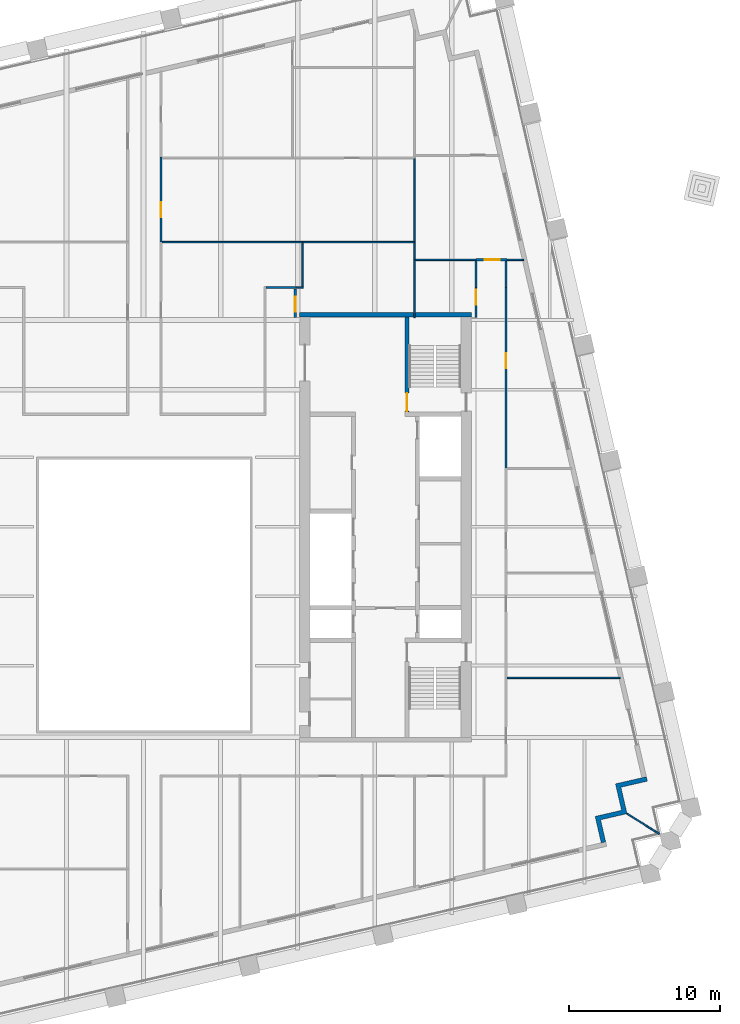
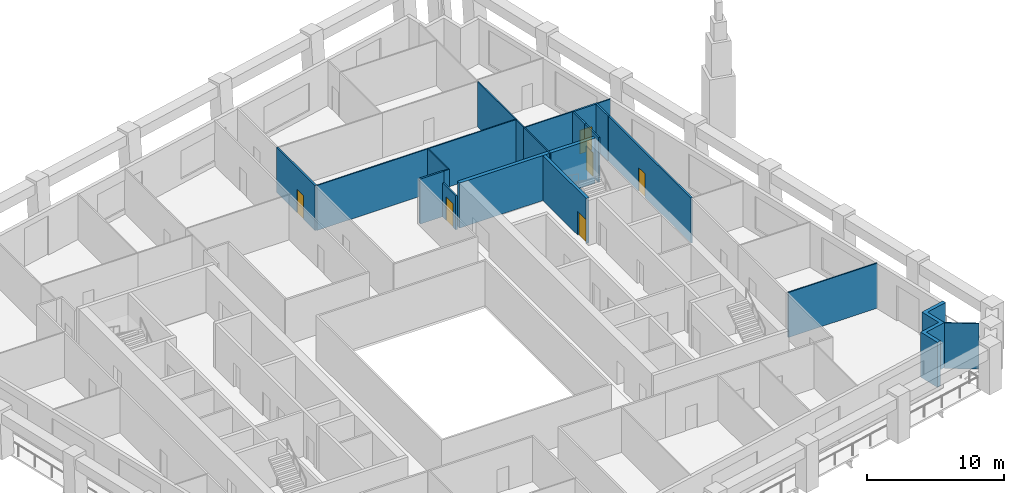
# One storey, part 8 of 10: 22 walls, 6 doors, 6 openings.
"""IFC4 building model written with IfcOpenShell, lengths in metres."""

from ifc_helpers import new_model, si_unit, direction, frame, frame_2d, origin, place, context, subcontext, project, spatial, polyline, rectangle, outline, extrude, material, layer, layer_set, type_object, element, fill, save


model = new_model("IFC4")

# Units and contexts
model_context = context("Model", 3, precision=1e-05, world=origin(), true_north=direction((0.0, 1.0)))
body_context = subcontext(model_context, "Body", "Model", "MODEL_VIEW")
ifc_project = project(units=[si_unit("LENGTHUNIT", "METRE"), si_unit("AREAUNIT", "SQUARE_METRE"), si_unit("VOLUMEUNIT", "CUBIC_METRE"), si_unit("PLANEANGLEUNIT", "RADIAN"), si_unit("MASSUNIT", "GRAM", prefix="KILO")], contexts=[model_context])

# Site, building, storey
site_placement = place(None, origin())
site = spatial("IfcSite", under=ifc_project, at=site_placement, CompositionType="ELEMENT")
building_placement = place(site_placement, origin())
building = spatial("IfcBuilding", under=site, at=building_placement, Name="Ogive Exchange Tower", CompositionType="ELEMENT")
storey_placement = place(building_placement, frame((0.0, 0.0, 171.60009765625)))
storey = spatial("IfcBuildingStorey", under=building, at=storey_placement, Name="L37", CompositionType="ELEMENT", Elevation=171.60009765625)

# Wall, opening, door
ifc_material_1 = material(Name="Fire partition EI 60 150")
ifc_layer_1 = layer(ifc_material_1, 0.14990234375)
ifc_layer_set_1 = layer_set([ifc_layer_1], Name="Fire partition EI 60 150")
wall_type_1 = type_object("IfcWallType", Name="Fire partition EI 60 150", PredefinedType="PARTITIONING", material=ifc_layer_set_1)
wall_1_placement = place(storey_placement, frame((1.10009765625, 36.050048828125, 0.0), z_axis=(0.0, 0.0, 1.0), x_axis=(0.0, -1.0, 0.0)))
wall_1 = element("IfcWall", 1, at=wall_1_placement, inside=storey, type_object=wall_type_1, Name="L37-PWL-040", PredefinedType="PARTITIONING", context=body_context, shape_type="SweptSolid", body=[
    extrude(rectangle(XDim=5.630126953125, YDim=0.14990234375, at=frame_2d((2.81494140625, 0.0))), origin(), (0.0, 0.0, 1.0), 4.0),
])
opening_1_placement = place(wall_1_placement, frame((2.97998046875, 0.0, 0.0)))
opening_1 = element("IfcOpeningElement", 2, at=opening_1_placement, cuts=wall_1, Name="Opening L37-I27", PredefinedType="OPENING", context=body_context, shape_type="SweptSolid", body=[
    extrude(rectangle(XDim=1.0, YDim=2.10009765625, at=frame_2d((0.5, 1.050048828125))), frame((0.0, 0.0849609375, 0.0), z_axis=(0.0, -1.0, 0.0), x_axis=(1.0, 0.0, 0.0)), (0.0, 0.0, 1.0), 0.169921875),
])
ifc_material_2 = material(Name="Fire door FD 30S 1000 x 2100")
door_type_1 = type_object("IfcDoorType", Name="Fire door FD 30S 1000 x 2100", OperationType="NOTDEFINED", PredefinedType="DOOR", material=ifc_material_2)
door_1_placement = place(opening_1_placement, origin())
door_1 = element("IfcDoor", 3, at=door_1_placement, inside=storey, type_object=door_type_1, Name="L37-IDR-027", ObjectType="DT3", OperationType="SINGLE_SWING_LEFT", OverallHeight=2.10009765625, OverallWidth=1.0, PredefinedType="DOOR", context=body_context, shape_type="SweptSolid", body=[
    extrude(rectangle(XDim=1.0, YDim=2.10009765625, at=frame_2d((0.5, 1.050048828125))), frame((0.0, 0.02490234375, 0.0), z_axis=(0.0, -1.0, 0.0), x_axis=(1.0, 0.0, 0.0)), (0.0, 0.0, 1.0), 0.050048828125),
])
fill(opening_1, door_1)

# Wall
wall_2_placement = place(storey_placement, frame((8.074951171875, 27.39990234375, 0.0), z_axis=(0.0, 0.0, 1.0), x_axis=(1.0, 0.0, 0.0)))
element("IfcWall", 4, at=wall_2_placement, inside=storey, type_object=wall_type_1, Name="L37-PWL-046", PredefinedType="PARTITIONING", context=body_context, shape_type="SweptSolid", body=[
    extrude(rectangle(XDim=2.0, YDim=0.14990234375, at=frame_2d((1.0, 0.0))), origin(), (0.0, 0.0, 1.0), 4.0),
])

# Wall, opening, door
wall_3_placement = place(storey_placement, frame((10.010009765625, 27.31494140625, 0.0), z_axis=(0.0, 0.0, 1.0), x_axis=(0.0, -1.0, 0.0)))
wall_3 = element("IfcWall", 5, at=wall_3_placement, inside=storey, type_object=wall_type_1, Name="L37-PWL-052", PredefinedType="PARTITIONING", context=body_context, shape_type="SweptSolid", body=[
    extrude(rectangle(XDim=1.9150390625, YDim=0.14990234375, at=frame_2d((0.95751953125, 0.0))), origin(), (0.0, 0.0, 1.0), 3.02001953125),
])
opening_2_placement = place(wall_3_placement, frame((0.514892578125, 0.0, 0.0)))
opening_2 = element("IfcOpeningElement", 6, at=opening_2_placement, cuts=wall_3, Name="Opening L37-I26", PredefinedType="OPENING", context=body_context, shape_type="SweptSolid", body=[
    extrude(rectangle(XDim=1.0, YDim=2.10009765625, at=frame_2d((0.5, 1.050048828125))), frame((0.0, 0.0849609375, 0.0), z_axis=(0.0, -1.0, 0.0), x_axis=(1.0, 0.0, 0.0)), (0.0, 0.0, 1.0), 0.169921875),
])
door_2_placement = place(opening_2_placement, origin())
door_2 = element("IfcDoor", 7, at=door_2_placement, inside=storey, type_object=door_type_1, Name="L37-IDR-026", ObjectType="DT3", OperationType="SINGLE_SWING_RIGHT", OverallHeight=2.10009765625, OverallWidth=1.0, PredefinedType="DOOR", context=body_context, shape_type="SweptSolid", body=[
    extrude(rectangle(XDim=1.0, YDim=2.10009765625, at=frame_2d((0.5, 1.050048828125))), frame((0.0, 0.02490234375, 0.0), z_axis=(0.0, -1.0, 0.0), x_axis=(1.0, 0.0, 0.0)), (0.0, 0.0, 1.0), 0.050048828125),
])
fill(opening_2, door_2)

wall_4_placement = place(storey_placement, frame((22.0, 25.39990234375, 0.0), z_axis=(0.0, 0.0, 1.0), x_axis=(0.0, 1.0, 0.0)))
wall_4 = element("IfcWall", 8, at=wall_4_placement, inside=storey, type_object=wall_type_1, Name="L37-PWL-067", PredefinedType="PARTITIONING", context=body_context, shape_type="SweptSolid", body=[
    extrude(rectangle(XDim=2.0, YDim=0.14990234375, at=frame_2d((1.0, 0.0))), origin(), (0.0, 0.0, 1.0), 4.0),
])
opening_3_placement = place(wall_4_placement, frame((0.85009765625, 0.0, 0.0)))
opening_3 = element("IfcOpeningElement", 9, at=opening_3_placement, cuts=wall_4, Name="Opening L37-I17", PredefinedType="OPENING", context=body_context, shape_type="SweptSolid", body=[
    extrude(rectangle(XDim=1.0, YDim=2.10009765625, at=frame_2d((0.5, 1.050048828125))), frame((0.0, 0.0849609375, 0.0), z_axis=(0.0, -1.0, 0.0), x_axis=(1.0, 0.0, 0.0)), (0.0, 0.0, 1.0), 0.169921875),
])
door_3_placement = place(opening_3_placement, origin())
door_3 = element("IfcDoor", 10, at=door_3_placement, inside=storey, type_object=door_type_1, Name="L37-IDR-017", ObjectType="DT3", OperationType="SINGLE_SWING_LEFT", OverallHeight=2.10009765625, OverallWidth=1.0, PredefinedType="DOOR", context=body_context, shape_type="SweptSolid", body=[
    extrude(rectangle(XDim=1.0, YDim=2.10009765625, at=frame_2d((0.5, 1.050048828125))), frame((0.0, 0.02490234375, 0.0), z_axis=(0.0, -1.0, 0.0), x_axis=(1.0, 0.0, 0.0)), (0.0, 0.0, 1.0), 0.050048828125),
])
fill(opening_3, door_3)

# Wall
wall_5_placement = place(storey_placement, frame((22.010009765625, 27.39990234375, 0.0), z_axis=(0.0, 0.0, 1.0), x_axis=(0.0, 1.0, 0.0)))
element("IfcWall", 11, at=wall_5_placement, inside=storey, type_object=wall_type_1, Name="L37-PWL-068", PredefinedType="PARTITIONING", context=body_context, shape_type="SweptSolid", body=[
    extrude(rectangle(XDim=1.7900390625, YDim=0.14990234375, at=frame_2d((0.89501953125, 0.0))), origin(), (0.0, 0.0, 1.0), 4.0),
])

# Wall, opening, door
wall_6_placement = place(storey_placement, frame((22.010009765625, 29.239990234375, 0.0), z_axis=(0.0, 0.0, 1.0), x_axis=(1.0, 0.0, 0.0)))
wall_6 = element("IfcWall", 12, at=wall_6_placement, inside=storey, type_object=wall_type_1, Name="L37-PWL-069", PredefinedType="PARTITIONING", context=body_context, shape_type="SweptSolid", body=[
    extrude(rectangle(XDim=2.054931640625, YDim=0.14990234375, at=frame_2d((1.02734375, 0.0))), origin(), (0.0, 0.0, 1.0), 4.0),
])
opening_4_placement = place(wall_6_placement, frame((0.580078125, 0.0, 0.0)))
opening_4 = element("IfcOpeningElement", 13, at=opening_4_placement, cuts=wall_6, Name="Opening L37-I23", PredefinedType="OPENING", context=body_context, shape_type="SweptSolid", body=[
    extrude(rectangle(XDim=1.0, YDim=2.10009765625, at=frame_2d((0.5, 1.050048828125))), frame((0.0, 0.0849609375, 0.0), z_axis=(0.0, -1.0, 0.0), x_axis=(1.0, 0.0, 0.0)), (0.0, 0.0, 1.0), 0.169921875),
])
door_4_placement = place(opening_4_placement, origin())
door_4 = element("IfcDoor", 14, at=door_4_placement, inside=storey, type_object=door_type_1, Name="L37-IDR-023", ObjectType="DT3", OperationType="SINGLE_SWING_LEFT", OverallHeight=2.10009765625, OverallWidth=1.0, PredefinedType="DOOR", context=body_context, shape_type="SweptSolid", body=[
    extrude(rectangle(XDim=1.0, YDim=2.10009765625, at=frame_2d((0.5, 1.050048828125))), frame((0.0, 0.02490234375, 0.0), z_axis=(0.0, -1.0, 0.0), x_axis=(1.0, 0.0, 0.0)), (0.0, 0.0, 1.0), 0.050048828125),
])
fill(opening_4, door_4)

# Wall
wall_7_placement = place(storey_placement, frame((23.989990234375, 29.1650390625, 0.0), z_axis=(0.0, 0.0, 1.0), x_axis=(0.0, -1.0, 0.0)))
element("IfcWall", 15, at=wall_7_placement, inside=storey, type_object=wall_type_1, Name="L37-PWL-072", PredefinedType="PARTITIONING", context=body_context, shape_type="SweptSolid", body=[
    extrude(rectangle(XDim=1.76513671875, YDim=0.14990234375, at=frame_2d((0.882568359375, 0.0))), origin(), (0.0, 0.0, 1.0), 4.0),
])

# Wall, opening, door
wall_8_placement = place(storey_placement, frame((24.0, 27.39990234375, 0.0), z_axis=(0.0, 0.0, 1.0), x_axis=(0.0, -1.0, 0.0)))
wall_8 = element("IfcWall", 16, at=wall_8_placement, inside=storey, type_object=wall_type_1, Name="L37-PWL-081", PredefinedType="PARTITIONING", context=body_context, shape_type="SweptSolid", body=[
    extrude(rectangle(XDim=12.02001953125, YDim=0.14990234375, at=frame_2d((6.010009765625, 0.0))), origin(), (0.0, 0.0, 1.0), 4.0),
])
opening_5_placement = place(wall_8_placement, frame((4.3701171875, 0.0, 0.0)))
opening_5 = element("IfcOpeningElement", 17, at=opening_5_placement, cuts=wall_8, Name="Opening L37-I22", PredefinedType="OPENING", context=body_context, shape_type="SweptSolid", body=[
    extrude(rectangle(XDim=1.0, YDim=2.10009765625, at=frame_2d((0.5, 1.050048828125))), frame((0.0, 0.0849609375, 0.0), z_axis=(0.0, -1.0, 0.0), x_axis=(1.0, 0.0, 0.0)), (0.0, 0.0, 1.0), 0.169921875),
])
door_5_placement = place(opening_5_placement, origin())
door_5 = element("IfcDoor", 18, at=door_5_placement, inside=storey, type_object=door_type_1, Name="L37-IDR-022", ObjectType="DT3", OperationType="SINGLE_SWING_LEFT", OverallHeight=2.10009765625, OverallWidth=1.0, PredefinedType="DOOR", context=body_context, shape_type="SweptSolid", body=[
    extrude(rectangle(XDim=1.0, YDim=2.10009765625, at=frame_2d((0.5, 1.050048828125))), frame((0.0, 0.02490234375, 0.0), z_axis=(0.0, -1.0, 0.0), x_axis=(1.0, 0.0, 0.0)), (0.0, 0.0, 1.0), 0.050048828125),
])
fill(opening_5, door_5)

# Walls
ifc_material_3 = material(Name="Precast concrete C40/50", Category="concrete")
ifc_layer_2 = layer(ifc_material_3, 0.300048828125)
ifc_layer_set_2 = layer_set([ifc_layer_2], Name="Limestone-faced wall 300")
wall_type_2 = type_object("IfcWallType", Name="Limestone-faced wall 300", PredefinedType="STANDARD", material=ifc_layer_set_2)
wall_9_placement = place(storey_placement, origin())
element("IfcWall", 19, at=wall_9_placement, inside=storey, type_object=wall_type_2, Name="External corner wall C1", PredefinedType="STANDARD", context=body_context, shape_type="SweptSolid", body=[
    extrude(outline(polyline([(31.662109375, -7.28466796875), (31.257080078125, -5.53076171875), (33.30322265625, -5.058349609375), (33.370849609375, -5.3505859375), (31.616943359375, -5.755615234375), (32.02197265625, -7.509521484375), (30.26806640625, -7.914306640625), (30.60546875, -9.3759765625), (30.31298828125, -9.443359375), (29.908203125, -7.689697265625), (31.662109375, -7.28466796875)])), origin(), (0.0, 0.0, 1.0), 4.0),
])
ifc_material_4 = material(Name="Laminated safety glass in steel frame", Category="steel")
ifc_layer_3 = layer(ifc_material_4, 0.10009765625)
ifc_layer_set_3 = layer_set([ifc_layer_3], Name="Loggia end screen 100")
wall_type_3 = type_object("IfcWallType", Name="Loggia end screen 100", PredefinedType="STANDARD", material=ifc_layer_set_3)
wall_10_placement = place(storey_placement, frame((32.02197265625, -7.509521484375, -0.050048828125), z_axis=(0.0, 0.0, 1.0), x_axis=(0.848047176257, -0.529920736377, 0.0)))
element("IfcWall", 20, at=wall_10_placement, inside=storey, type_object=wall_type_3, Name="Loggia end screen C1", PredefinedType="STANDARD", context=body_context, shape_type="SweptSolid", body=[
    extrude(rectangle(XDim=2.525634765625, YDim=0.10009765625, at=frame_2d((1.2626953125, 0.0))), origin(), (0.0, 0.0, 1.0), 4.050048828125),
])
ifc_material_5 = material(Name="Partition 100 gypsum")
ifc_layer_4 = layer(ifc_material_5, 0.10009765625)
ifc_layer_set_4 = layer_set([ifc_layer_4], Name="Partition 100 gypsum")
wall_type_4 = type_object("IfcWallType", Name="Partition 100 gypsum", PredefinedType="PARTITIONING", material=ifc_layer_set_4)
wall_11_placement = place(storey_placement, frame((1.175048828125, 30.419921875, 0.0), z_axis=(0.0, 0.0, 1.0), x_axis=(1.0, 0.0, 0.0)))
element("IfcWall", 21, at=wall_11_placement, inside=storey, type_object=wall_type_4, Name="L37-PWL-039", PredefinedType="PARTITIONING", context=body_context, shape_type="SweptSolid", body=[
    extrude(rectangle(XDim=9.375, YDim=0.10009765625, at=frame_2d((4.6875, 0.0))), origin(), (0.0, 0.0, 1.0), 4.0),
])
wall_12_placement = place(storey_placement, frame((10.550048828125, 27.389892578125, 0.0), z_axis=(0.0, 0.0, 1.0), x_axis=(-1.0, 0.0, 0.0)))
element("IfcWall", 22, at=wall_12_placement, inside=storey, type_object=wall_type_4, Name="L37-PWL-053", PredefinedType="PARTITIONING", context=body_context, shape_type="SweptSolid", body=[
    extrude(rectangle(XDim=0.47509765625, YDim=0.10009765625, at=frame_2d((0.237548828125, 0.0))), origin(), (0.0, 0.0, 1.0), 4.0),
])
wall_13_placement = place(storey_placement, frame((10.5, 30.3701171875, 0.0), z_axis=(0.0, 0.0, 1.0), x_axis=(0.0, -1.0, 0.0)))
element("IfcWall", 23, at=wall_13_placement, inside=storey, type_object=wall_type_4, Name="L37-PWL-054", PredefinedType="PARTITIONING", context=body_context, shape_type="SweptSolid", body=[
    extrude(rectangle(XDim=2.93017578125, YDim=0.10009765625, at=frame_2d((1.465087890625, 0.0))), origin(), (0.0, 0.0, 1.0), 4.0),
])
wall_14_placement = place(storey_placement, frame((10.550048828125, 30.419921875, 0.0), z_axis=(0.0, 0.0, 1.0), x_axis=(1.0, 0.0, 0.0)))
element("IfcWall", 24, at=wall_14_placement, inside=storey, type_object=wall_type_4, Name="L37-PWL-055", PredefinedType="PARTITIONING", context=body_context, shape_type="SweptSolid", body=[
    extrude(rectangle(XDim=7.419921875, YDim=0.10009765625, at=frame_2d((3.7099609375, 0.0))), origin(), (0.0, 0.0, 1.0), 4.0),
])
wall_15_placement = place(storey_placement, frame((17.919921875, 25.39990234375, 0.0), z_axis=(0.0, 0.0, 1.0), x_axis=(0.0, 1.0, 0.0)))
element("IfcWall", 25, at=wall_15_placement, inside=storey, type_object=wall_type_4, Name="L37-PWL-060", PredefinedType="PARTITIONING", context=body_context, shape_type="SweptSolid", body=[
    extrude(rectangle(XDim=3.89013671875, YDim=0.10009765625, at=frame_2d((1.945068359375, 0.0))), origin(), (0.0, 0.0, 1.0), 4.0),
])
wall_16_placement = place(storey_placement, frame((17.919921875, 29.2900390625, 0.0), z_axis=(0.0, 0.0, 1.0), x_axis=(0.0, 1.0, 0.0)))
element("IfcWall", 26, at=wall_16_placement, inside=storey, type_object=wall_type_4, Name="L37-PWL-061", PredefinedType="PARTITIONING", context=body_context, shape_type="SweptSolid", body=[
    extrude(rectangle(XDim=1.080078125, YDim=0.10009765625, at=frame_2d((0.5400390625, 0.0))), origin(), (0.0, 0.0, 1.0), 4.0),
])
wall_17_placement = place(storey_placement, frame((17.969970703125, 29.239990234375, 0.0), z_axis=(0.0, 0.0, 1.0), x_axis=(1.0, 0.0, 0.0)))
element("IfcWall", 27, at=wall_17_placement, inside=storey, type_object=wall_type_4, Name="L37-PWL-062", PredefinedType="PARTITIONING", context=body_context, shape_type="SweptSolid", body=[
    extrude(rectangle(XDim=4.0400390625, YDim=0.10009765625, at=frame_2d((2.02001953125, 0.0))), origin(), (0.0, 0.0, 1.0), 4.0),
])
wall_18_placement = place(storey_placement, frame((17.919921875, 30.469970703125, 0.0), z_axis=(0.0, 0.0, 1.0), x_axis=(0.0, 1.0, 0.0)))
element("IfcWall", 28, at=wall_18_placement, inside=storey, type_object=wall_type_4, Name="L37-PWL-063", PredefinedType="PARTITIONING", context=body_context, shape_type="SweptSolid", body=[
    extrude(rectangle(XDim=5.47998046875, YDim=0.10009765625, at=frame_2d((2.739990234375, 0.0))), origin(), (0.0, 0.0, 1.0), 4.0),
])
wall_19_placement = place(storey_placement, frame((24.06494140625, 29.239990234375, 0.0), z_axis=(0.0, 0.0, 1.0), x_axis=(1.0, 0.0, 0.0)))
element("IfcWall", 29, at=wall_19_placement, inside=storey, type_object=wall_type_4, Name="L37-PWL-073", PredefinedType="PARTITIONING", context=body_context, shape_type="SweptSolid", body=[
    extrude(rectangle(XDim=1.094970703125, YDim=0.10009765625, at=frame_2d((0.54736328125, 0.0))), origin(), (0.0, 0.0, 1.0), 4.0),
])
wall_20_placement = place(storey_placement, frame((24.074951171875, 1.510009765625, 0.0), z_axis=(0.0, 0.0, 1.0), x_axis=(1.0, 0.0, 0.0)))
element("IfcWall", 30, at=wall_20_placement, inside=storey, type_object=wall_type_4, Name="L37-PWL-076", PredefinedType="PARTITIONING", context=body_context, shape_type="SweptSolid", body=[
    extrude(rectangle(XDim=7.487060546875, YDim=0.10009765625, at=frame_2d((3.74365234375, 0.0))), origin(), (0.0, 0.0, 1.0), 4.0),
])

# Wall, opening, door
ifc_material_6 = material(Name="Concrete C70/85", Category="concrete")
ifc_layer_5 = layer(ifc_material_6, 0.25)
ifc_layer_set_5 = layer_set([ifc_layer_5], Name="RC core wall 250 C70/85")
wall_type_5 = type_object("IfcWallType", Name="RC core wall 250 C70/85", PredefinedType="SHEAR", material=ifc_layer_set_5)
wall_21_placement = place(storey_placement, frame((17.425048828125, 19.14990234375, 0.0), z_axis=(0.0, 0.0, 1.0), x_axis=(0.0, 1.0, 0.0)))
wall_21 = element("IfcWall", 31, at=wall_21_placement, inside=storey, type_object=wall_type_5, Name="E stair N front wall", PredefinedType="SHEAR", context=body_context, shape_type="SweptSolid", body=[
    extrude(rectangle(XDim=6.300048828125, YDim=0.25, at=frame_2d((3.14990234375, 0.0))), origin(), (0.0, 0.0, 1.0), 4.0),
])
opening_6_placement = place(wall_21_placement, frame((0.050048828125, 0.0, 0.0)))
opening_6 = element("IfcOpeningElement", 32, at=opening_6_placement, cuts=wall_21, Name="Opening L37-C32", PredefinedType="OPENING", context=body_context, shape_type="SweptSolid", body=[
    extrude(rectangle(XDim=1.199951171875, YDim=2.10009765625, at=frame_2d((0.60009765625, 1.050048828125))), frame((0.0, 0.135009765625, 0.0), z_axis=(0.0, -1.0, 0.0), x_axis=(1.0, 0.0, 0.0)), (0.0, 0.0, 1.0), 0.27001953125),
])
ifc_material_7 = material(Name="Steel fire door", Category="steel")
door_type_2 = type_object("IfcDoorType", Name="Stair door FD90 1200 x 2100", OperationType="NOTDEFINED", PredefinedType="DOOR", material=ifc_material_7)
door_6_placement = place(opening_6_placement, frame((1.199951171875, 0.0, 0.0), z_axis=(0.0, 0.0, 1.0), x_axis=(-1.0, 0.0, 0.0)))
door_6 = element("IfcDoor", 33, at=door_6_placement, inside=storey, type_object=door_type_2, Name="Stair door", ObjectType="CD5", OperationType="SINGLE_SWING_LEFT", OverallHeight=2.10009765625, OverallWidth=1.199951171875, PredefinedType="DOOR", context=body_context, shape_type="SweptSolid", body=[
    extrude(rectangle(XDim=1.199951171875, YDim=2.10009765625, at=frame_2d((0.60009765625, 1.050048828125))), frame((0.0, 0.02490234375, 0.0), z_axis=(0.0, -1.0, 0.0), x_axis=(1.0, 0.0, 0.0)), (0.0, 0.0, 1.0), 0.050048828125),
])
fill(opening_6, door_6)

# Wall
ifc_layer_6 = layer(ifc_material_6, 0.300048828125)
ifc_layer_set_6 = layer_set([ifc_layer_6], Name="RC core wall 300 C70/85")
wall_type_6 = type_object("IfcWallType", Name="RC core wall 300 C70/85", PredefinedType="SHEAR", material=ifc_layer_set_6)
wall_22_placement = place(storey_placement, frame((10.300048828125, 25.60009765625, 0.0), z_axis=(0.0, 0.0, 1.0), x_axis=(1.0, 0.0, 0.0)))
element("IfcWall", 34, at=wall_22_placement, inside=storey, type_object=wall_type_6, Name="E north end wall", PredefinedType="SHEAR", context=body_context, shape_type="SweptSolid", body=[
    extrude(rectangle(XDim=11.39990234375, YDim=0.300048828125, at=frame_2d((5.699951171875, 0.0))), origin(), (0.0, 0.0, 1.0), 4.0),
])

save(model, "model.ifc")
